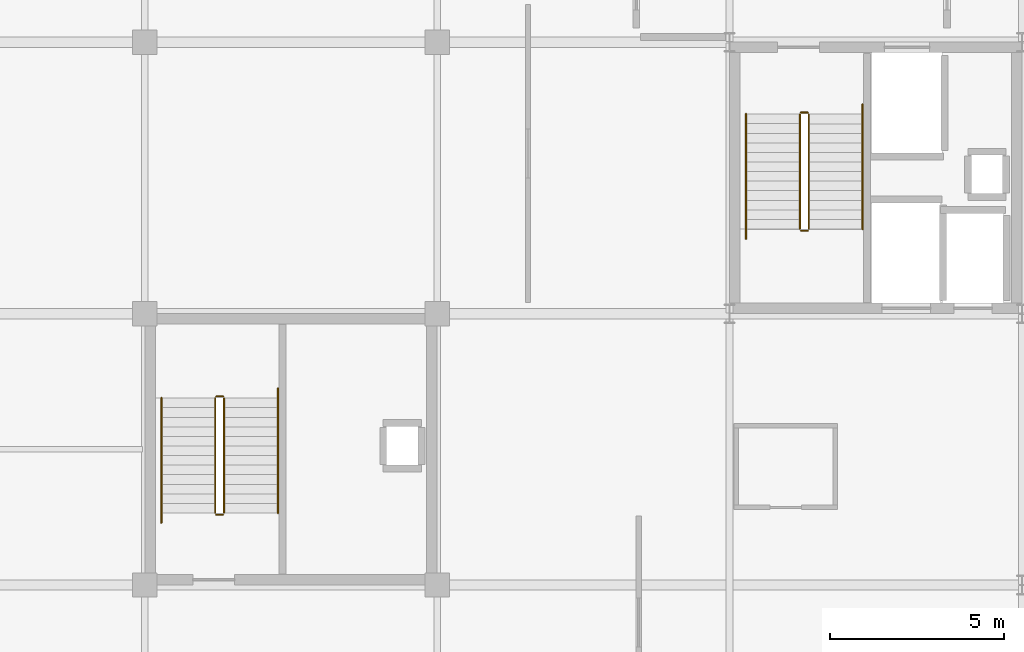
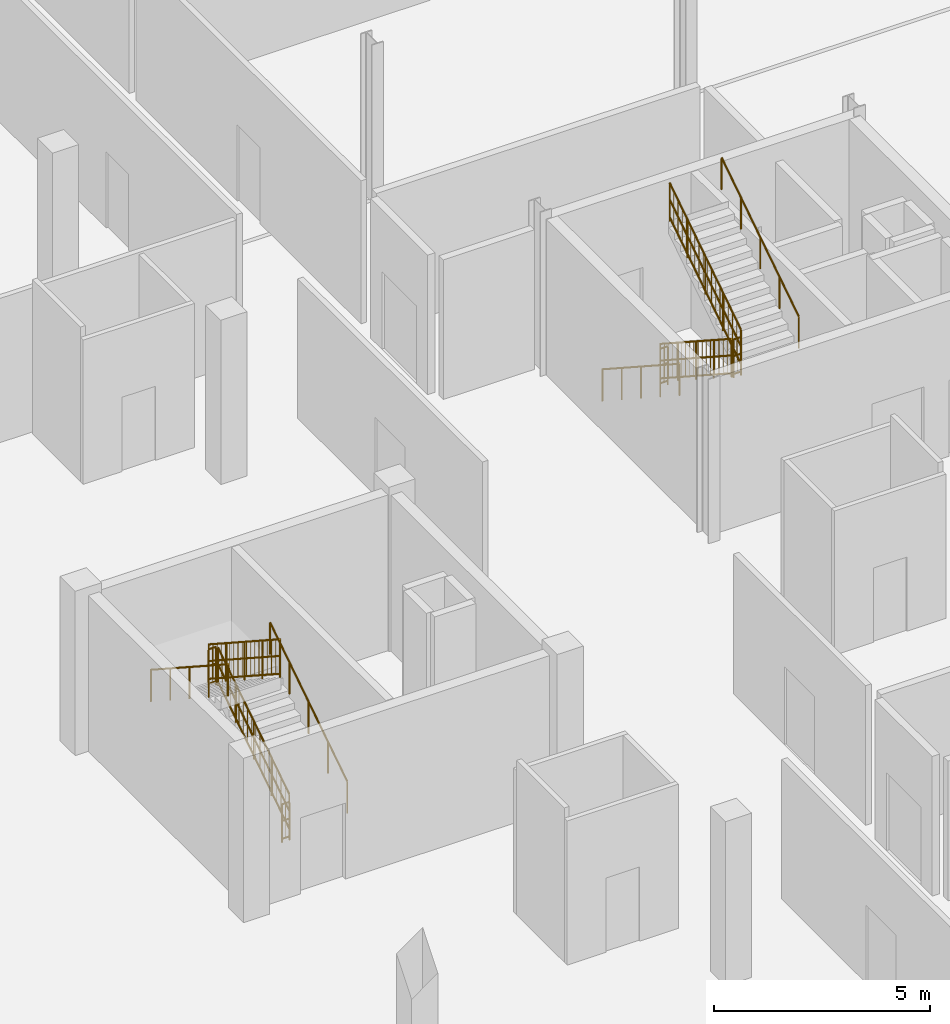
# One storey, part 97 of 98: 12 railings.
"""IFC4 building model written with IfcOpenShell, lengths in metres."""

import ifcopenshell
import ifcopenshell.guid

model = None  # the IFC model being written
_history = None  # IfcOwnerHistory: only IFC2X3 demands one
_inside = {}  # id of a spatial element -> (the spatial element, [elements in it])
_under = {}  # id of a project, library or spatial element -> (it, [spatial elements below it])
_declared = {}  # id of a project -> (the project, [libraries it declares])
_typed = {}  # id of a type object -> (the type object, [elements of that type])
_made_of = {}  # id of a material, layer set ... -> (it, [elements and type objects made of it])


def new_model(schema):
    """Start an empty IFC model of exactly this schema.

    Asked for "IFC4X3", IfcOpenShell would pick the latest addendum, in which some entities
    have other attributes; the version numbers below select the first issue.
    IFC2X3 requires an IfcOwnerHistory on every rooted entity: one is made here for all.
    """
    global model, _history
    if schema == "IFC4X3":
        model = ifcopenshell.file(schema_version=(4, 3, 0, 0))
    else:
        model = ifcopenshell.file(schema=schema)
    _inside.clear()
    _under.clear()
    _declared.clear()
    _typed.clear()
    _made_of.clear()
    _history = None
    if model.schema == "IFC2X3":
        org = make("IfcOrganization", Name="unknown")
        user = make(
            "IfcPersonAndOrganization",
            ThePerson=make("IfcPerson", FamilyName="unknown"),
            TheOrganization=org,
        )
        app = make(
            "IfcApplication",
            ApplicationDeveloper=org,
            Version="unknown",
            ApplicationFullName="unknown",
            ApplicationIdentifier="unknown",
        )
        _history = make(
            "IfcOwnerHistory",
            OwningUser=user,
            OwningApplication=app,
            ChangeAction="ADDED",
            CreationDate=0,
        )
    return model


def make(cls, **values):
    """One entity of the class cls with the attributes given. An attribute that is None is left unset."""
    return model.create_entity(
        cls, **{name: value for name, value in values.items() if value is not None}
    )


def rooted(cls, **values):
    """An entity with a GlobalId (a new one), such as an element, a storey or a relation."""
    return make(cls, GlobalId=ifcopenshell.guid.new(), OwnerHistory=_history, **values)


def si_unit(unit_type, name, prefix=None):
    """IfcSIUnit, for example si_unit("LENGTHUNIT", "METRE", prefix="MILLI")."""
    return make("IfcSIUnit", UnitType=unit_type, Prefix=prefix, Name=name)


def assignment(units):
    """IfcUnitAssignment: the units of a project."""
    return None if units is None else make("IfcUnitAssignment", Units=units)


def point(xyz):
    """IfcCartesianPoint."""
    return None if xyz is None else make("IfcCartesianPoint", Coordinates=xyz)


def direction(xyz):
    """IfcDirection."""
    return None if xyz is None else make("IfcDirection", DirectionRatios=xyz)


def frame(location, z_axis=None, x_axis=None):
    """IfcAxis2Placement3D, a coordinate frame: its origin and axes. An axis left out is left unset."""
    return make(
        "IfcAxis2Placement3D",
        Location=point(location),
        Axis=direction(z_axis),
        RefDirection=direction(x_axis),
    )


def frame_2d(location, x_axis=None):
    """IfcAxis2Placement2D, a coordinate frame in the plane: its origin and x axis."""
    return make(
        "IfcAxis2Placement2D", Location=point(location), RefDirection=direction(x_axis)
    )


def origin():
    """The frame at (0, 0, 0) with its axes left unset."""
    return frame((0.0, 0.0, 0.0))


def origin_2d():
    """The frame at (0, 0) in the plane with its x axis left unset."""
    return frame_2d((0.0, 0.0))


def place(relative_to, where):
    """IfcLocalPlacement: puts the frame where relative to a parent placement (None: the world)."""
    return make(
        "IfcLocalPlacement", PlacementRelTo=relative_to, RelativePlacement=where
    )


def context(
    kind, dimensions, precision=None, world=None, true_north=None, identifier=None
):
    """IfcGeometricRepresentationContext, for example the 3D "Model" context."""
    return make(
        "IfcGeometricRepresentationContext",
        ContextIdentifier=identifier,
        ContextType=kind,
        CoordinateSpaceDimension=dimensions,
        Precision=precision,
        WorldCoordinateSystem=world,
        TrueNorth=true_north,
    )


def subcontext(parent, identifier, kind, view, scale=None):
    """IfcGeometricRepresentationSubContext, for example "Body" below "Model"."""
    return make(
        "IfcGeometricRepresentationSubContext",
        ContextIdentifier=identifier,
        ContextType=kind,
        ParentContext=parent,
        TargetScale=scale,
        TargetView=view,
    )


def project(units=None, contexts=None):
    """IfcProject with its units and contexts."""
    return rooted(
        "IfcProject",
        Name="project",
        RepresentationContexts=contexts,
        UnitsInContext=assignment(units),
    )


def spatial(cls, under=None, at=None, **own):
    """A site, building, storey or space (cls), placed at a placement, below another one or the project."""
    s = rooted(cls, ObjectPlacement=at, **own)
    if under is not None:
        _under.setdefault(under.id(), (under, []))[1].append(s)
    return s


def profile(cls, at=None, kind="AREA", **sizes):
    """A parametric profile (cls). Its sizes go by their IFC names, for example OverallWidth=200.0."""
    return make(cls, ProfileType=kind, Position=at, **sizes)


def circle(**sizes):
    """IfcCircleProfileDef."""
    return profile("IfcCircleProfileDef", **sizes)


def extrude(swept, where, along, depth):
    """IfcExtrudedAreaSolid: the profile swept, set in the frame where, extruded along a direction by depth."""
    return make(
        "IfcExtrudedAreaSolid",
        SweptArea=swept,
        Position=where,
        ExtrudedDirection=direction(along),
        Depth=depth,
    )


def shape(context_of_items, identifier, shape_type, items):
    """IfcShapeRepresentation: the items that make up one representation, for example the "Body"."""
    return make(
        "IfcShapeRepresentation",
        ContextOfItems=context_of_items,
        RepresentationIdentifier=identifier,
        RepresentationType=shape_type,
        Items=items,
    )


def material(Name=None, Category=None):
    """IfcMaterial."""
    return make("IfcMaterial", Name=Name, Category=Category)


def layer(
    of_material, thickness, ventilated=None, Name=None, Category=None, Priority=None
):
    """IfcMaterialLayer: one layer of a wall or slab, of a material (None: an air gap)."""
    return make(
        "IfcMaterialLayer",
        Material=of_material,
        LayerThickness=thickness,
        IsVentilated=ventilated,
        Name=Name,
        Category=Category,
        Priority=Priority,
    )


def layer_set(layers, Name=None):
    """IfcMaterialLayerSet."""
    return make("IfcMaterialLayerSet", MaterialLayers=layers, LayerSetName=Name)


def made_of(thing, what):
    """Note that an element or type object is made of a material, layer set ...; save() writes the relation."""
    if what is not None:
        _made_of.setdefault(what.id(), (what, []))[1].append(thing)
    return thing


def type_object(cls, material=None, **own):
    """A type object (cls), such as IfcWallType, which elements share."""
    return made_of(rooted(cls, **own), material)


def element(
    cls,
    number,
    at=None,
    inside=None,
    cuts=None,
    type_object=None,
    material=None,
    context=None,
    identifier="Body",
    shape_type=None,
    held_by="IfcProductDefinitionShape",
    body=None,
    shapes=None,
    **own,
):
    """One element of the class cls, such as IfcWall. Its Tag is "e" and its number.

    at: its placement. inside: the storey or other place that contains it. cuts: it is an
    opening in that element (IfcRelVoidsElement). A single representation is given by context,
    identifier, shape_type and body (its items); several are given by shapes. held_by: the class
    of the entity that holds the representations. save() writes the other relations.
    """
    e = rooted(cls, Tag="e%d" % number, ObjectPlacement=at, **own)
    if body is not None:
        shapes = [shape(context, identifier, shape_type, body)]
    if shapes is not None:
        e.Representation = make(held_by, Representations=shapes)
    if inside is not None:
        _inside.setdefault(inside.id(), (inside, []))[1].append(e)
    if cuts is not None:
        rooted(
            "IfcRelVoidsElement", RelatingBuildingElement=cuts, RelatedOpeningElement=e
        )
    if type_object is not None:
        _typed.setdefault(type_object.id(), (type_object, []))[1].append(e)
    return made_of(e, material)


def aggregate(whole, parts):
    """IfcRelAggregates: a whole, such as a stair, and the parts it consists of."""
    return rooted("IfcRelAggregates", RelatingObject=whole, RelatedObjects=parts)


def save(model, path):
    """Write the relations noted so far, then the file.

    IfcRelAggregates (storeys below a building ...), IfcRelContainedInSpatialStructure (elements
    in a storey), IfcRelDefinesByType, IfcRelAssociatesMaterial and IfcRelDeclares: one each for
    every whole, place, type object, material and project.
    """
    for whole, parts in _under.values():
        aggregate(whole, parts)
    for where, things in _inside.values():
        rooted(
            "IfcRelContainedInSpatialStructure",
            RelatedElements=things,
            RelatingStructure=where,
        )
    for kind, things in _typed.values():
        rooted("IfcRelDefinesByType", RelatedObjects=things, RelatingType=kind)
    for what, things in _made_of.values():
        rooted("IfcRelAssociatesMaterial", RelatedObjects=things, RelatingMaterial=what)
    for by, libraries in _declared.values():
        rooted("IfcRelDeclares", RelatingContext=by, RelatedDefinitions=libraries)
    model.write(path)


model = new_model("IFC4")

# Units and contexts
model_context = context("Model", 3, precision=1e-05, world=origin(), true_north=direction((0.0, 1.0)))
body_context = subcontext(model_context, "Body", "Model", "MODEL_VIEW")
ifc_project = project(units=[si_unit("LENGTHUNIT", "METRE"), si_unit("AREAUNIT", "SQUARE_METRE"), si_unit("VOLUMEUNIT", "CUBIC_METRE"), si_unit("PLANEANGLEUNIT", "RADIAN"), si_unit("MASSUNIT", "GRAM", prefix="KILO")], contexts=[model_context])

# Site, building, storey
site_placement = place(None, origin())
site = spatial("IfcSite", under=ifc_project, at=site_placement, CompositionType="ELEMENT")
building_placement = place(site_placement, origin())
building = spatial("IfcBuilding", under=site, at=building_placement, Name="Nabrawat Pavilion Hospital", CompositionType="ELEMENT")
storey_placement = place(building_placement, frame((0.0, 0.0, 10.199951171875)))
storey = spatial("IfcBuildingStorey", under=building, at=storey_placement, Name="L02", CompositionType="ELEMENT", Elevation=10.199951171875)

# Railings
ifc_material = material(Name="Stainless Steel 316", Category="steel")
ifc_layer_1 = layer(ifc_material, 0.050048828125, Name="Stainless Steel 316")
ifc_layer_set_1 = layer_set([ifc_layer_1], Name="Stainless Steel 316")
railing_type_1 = type_object("IfcRailingType", Name="Stair Open-Well Safety Guardrail 1100", PredefinedType="GUARDRAIL", material=ifc_layer_set_1)
railing_1_placement = place(storey_placement, frame((170.02490234375, 75.929931640625, 0.178955078125)))
element("IfcRailing", 1, at=railing_1_placement, inside=storey, type_object=railing_type_1, Name="L02 ST-06 stair guard 1", PredefinedType="GUARDRAIL", context=body_context, shape_type="SweptSolid", body=[
    extrude(circle(Radius=0.02392578125, at=origin_2d()), frame((0.0, 0.0, 1.076171875), z_axis=(0.0, -0.838331656441, 0.545160557825), x_axis=(1.0, 0.0, 0.0)), (0.0, 0.0, 1.0), 3.9365234375),
    extrude(circle(Radius=0.02392578125, at=origin_2d()), frame((0.0, 0.0, 0.10009765625), z_axis=(0.0, -0.838331656441, 0.545160557825), x_axis=(1.0, 0.0, 0.0)), (0.0, 0.0, 1.0), 3.9365234375),
    extrude(circle(Radius=0.02392578125, at=origin_2d()), frame((0.0, 0.0, 0.60498046875), z_axis=(0.0, -0.838331656441, 0.545160557825), x_axis=(1.0, 0.0, 0.0)), (0.0, 0.0, 1.0), 3.9365234375),
    extrude(circle(Radius=0.008056640625, at=origin_2d()), frame((0.0, -0.194091796875, 0.226318359375)), (0.0, 0.0, 1.0), 0.951904296875),
    extrude(circle(Radius=0.008056640625, at=origin_2d()), frame((0.0, -0.38818359375, 0.3525390625)), (0.0, 0.0, 1.0), 0.951904296875),
    extrude(circle(Radius=0.008056640625, at=origin_2d()), frame((0.0, -0.582275390625, 0.478759765625)), (0.0, 0.0, 1.0), 0.951904296875),
    extrude(circle(Radius=0.008056640625, at=origin_2d()), frame((0.0, -0.7763671875, 0.60498046875)), (0.0, 0.0, 1.0), 0.951904296875),
    extrude(circle(Radius=0.008056640625, at=origin_2d()), frame((0.0, -0.970703125, 0.731201171875)), (0.0, 0.0, 1.0), 0.951904296875),
    extrude(circle(Radius=0.008056640625, at=origin_2d()), frame((0.0, -1.164794921875, 0.857421875)), (0.0, 0.0, 1.0), 0.951904296875),
    extrude(circle(Radius=0.008056640625, at=origin_2d()), frame((0.0, -1.35888671875, 0.983642578125)), (0.0, 0.0, 1.0), 0.951904296875),
    extrude(circle(Radius=0.008056640625, at=origin_2d()), frame((0.0, -1.552978515625, 1.10986328125)), (0.0, 0.0, 1.0), 0.951904296875),
    extrude(circle(Radius=0.008056640625, at=origin_2d()), frame((0.0, -1.7470703125, 1.236083984375)), (0.0, 0.0, 1.0), 0.951904296875),
    extrude(circle(Radius=0.008056640625, at=origin_2d()), frame((0.0, -1.941162109375, 1.3623046875)), (0.0, 0.0, 1.0), 0.951904296875),
    extrude(circle(Radius=0.008056640625, at=origin_2d()), frame((0.0, -2.13525390625, 1.488525390625)), (0.0, 0.0, 1.0), 0.951904296875),
    extrude(circle(Radius=0.008056640625, at=origin_2d()), frame((0.0, -2.329345703125, 1.61474609375)), (0.0, 0.0, 1.0), 0.951904296875),
    extrude(circle(Radius=0.008056640625, at=origin_2d()), frame((0.0, -2.523681640625, 1.740966796875)), (0.0, 0.0, 1.0), 0.951904296875),
    extrude(circle(Radius=0.008056640625, at=origin_2d()), frame((0.0, -2.7177734375, 1.8671875)), (0.0, 0.0, 1.0), 0.951904296875),
    extrude(circle(Radius=0.008056640625, at=origin_2d()), frame((0.0, -2.911865234375, 1.993408203125)), (0.0, 0.0, 1.0), 0.951904296875),
    extrude(circle(Radius=0.008056640625, at=origin_2d()), frame((0.0, -3.10595703125, 2.119873046875)), (0.0, 0.0, 1.0), 0.951904296875),
    extrude(circle(Radius=0.02099609375, at=origin_2d()), origin(), (0.0, 0.0, 1.0), 1.052001953125),
    extrude(circle(Radius=0.02099609375, at=origin_2d()), frame((0.0, -0.824951171875, 0.53662109375)), (0.0, 0.0, 1.0), 1.052001953125),
    extrude(circle(Radius=0.02099609375, at=origin_2d()), frame((0.0, -1.64990234375, 1.072998046875)), (0.0, 0.0, 1.0), 1.052001953125),
    extrude(circle(Radius=0.02099609375, at=origin_2d()), frame((0.0, -2.47509765625, 1.609375)), (0.0, 0.0, 1.0), 1.052001953125),
    extrude(circle(Radius=0.02099609375, at=origin_2d()), frame((0.0, -3.300048828125, 2.14599609375)), (0.0, 0.0, 1.0), 1.052001953125),
])
railing_2_placement = place(storey_placement, frame((170.050048828125, 72.580078125, 2.324951171875)))
element("IfcRailing", 2, at=railing_2_placement, inside=storey, type_object=railing_type_1, Name="L02 ST-06 stair guard 2", PredefinedType="GUARDRAIL", context=body_context, shape_type="SweptSolid", body=[
    extrude(circle(Radius=0.02392578125, at=origin_2d()), frame((0.0, 0.0, 1.076171875), z_axis=(1.0, 0.0, 0.0), x_axis=(0.0, 1.0, 0.0)), (0.0, 0.0, 1.0), 0.199951171875),
    extrude(circle(Radius=0.02392578125, at=origin_2d()), frame((0.0, 0.0, 0.10009765625), z_axis=(1.0, 0.0, 0.0), x_axis=(0.0, 1.0, 0.0)), (0.0, 0.0, 1.0), 0.199951171875),
    extrude(circle(Radius=0.02392578125, at=origin_2d()), frame((0.0, 0.0, 0.60498046875), z_axis=(1.0, 0.0, 0.0), x_axis=(0.0, 1.0, 0.0)), (0.0, 0.0, 1.0), 0.199951171875),
    extrude(circle(Radius=0.008056640625, at=origin_2d()), frame((0.10009765625, 0.0, 0.10009765625)), (0.0, 0.0, 1.0), 0.951904296875),
    extrude(circle(Radius=0.02099609375, at=origin_2d()), origin(), (0.0, 0.0, 1.0), 1.052001953125),
    extrude(circle(Radius=0.02099609375, at=origin_2d()), frame((0.199951171875, 0.0, 0.0)), (0.0, 0.0, 1.0), 1.052001953125),
])
railing_3_placement = place(storey_placement, frame((170.27490234375, 72.6298828125, 2.50390625)))
element("IfcRailing", 3, at=railing_3_placement, inside=storey, type_object=railing_type_1, Name="L02 ST-06 stair guard 3", PredefinedType="GUARDRAIL", context=body_context, shape_type="SweptSolid", body=[
    extrude(circle(Radius=0.02392578125, at=origin_2d()), frame((0.0, 0.0, 1.076171875), z_axis=(0.0, 0.838303311307, 0.545204143649), x_axis=(-1.0, 0.0, 0.0)), (0.0, 0.0, 1.0), 3.9365234375),
    extrude(circle(Radius=0.02392578125, at=origin_2d()), frame((0.0, 0.0, 0.10009765625), z_axis=(0.0, 0.838303311307, 0.545204143649), x_axis=(-1.0, 0.0, 0.0)), (0.0, 0.0, 1.0), 3.9365234375),
    extrude(circle(Radius=0.02392578125, at=origin_2d()), frame((0.0, 0.0, 0.60498046875), z_axis=(0.0, 0.838303311307, 0.545204143649), x_axis=(-1.0, 0.0, 0.0)), (0.0, 0.0, 1.0), 3.9365234375),
    extrude(circle(Radius=0.008056640625, at=origin_2d()), frame((0.0, 0.194091796875, 0.226318359375)), (0.0, 0.0, 1.0), 0.951904296875),
    extrude(circle(Radius=0.008056640625, at=origin_2d()), frame((0.0, 0.38818359375, 0.3525390625)), (0.0, 0.0, 1.0), 0.951904296875),
    extrude(circle(Radius=0.008056640625, at=origin_2d()), frame((0.0, 0.582275390625, 0.478759765625)), (0.0, 0.0, 1.0), 0.951904296875),
    extrude(circle(Radius=0.008056640625, at=origin_2d()), frame((0.0, 0.7763671875, 0.60498046875)), (0.0, 0.0, 1.0), 0.951904296875),
    extrude(circle(Radius=0.008056640625, at=origin_2d()), frame((0.0, 0.970703125, 0.731201171875)), (0.0, 0.0, 1.0), 0.951904296875),
    extrude(circle(Radius=0.008056640625, at=origin_2d()), frame((0.0, 1.164794921875, 0.857421875)), (0.0, 0.0, 1.0), 0.951904296875),
    extrude(circle(Radius=0.008056640625, at=origin_2d()), frame((0.0, 1.35888671875, 0.983642578125)), (0.0, 0.0, 1.0), 0.951904296875),
    extrude(circle(Radius=0.008056640625, at=origin_2d()), frame((0.0, 1.552978515625, 1.110107421875)), (0.0, 0.0, 1.0), 0.951904296875),
    extrude(circle(Radius=0.008056640625, at=origin_2d()), frame((0.0, 1.7470703125, 1.236328125)), (0.0, 0.0, 1.0), 0.951904296875),
    extrude(circle(Radius=0.008056640625, at=origin_2d()), frame((0.0, 1.941162109375, 1.362548828125)), (0.0, 0.0, 1.0), 0.951904296875),
    extrude(circle(Radius=0.008056640625, at=origin_2d()), frame((0.0, 2.13525390625, 1.48876953125)), (0.0, 0.0, 1.0), 0.951904296875),
    extrude(circle(Radius=0.008056640625, at=origin_2d()), frame((0.0, 2.329345703125, 1.614990234375)), (0.0, 0.0, 1.0), 0.951904296875),
    extrude(circle(Radius=0.008056640625, at=origin_2d()), frame((0.0, 2.523681640625, 1.7412109375)), (0.0, 0.0, 1.0), 0.951904296875),
    extrude(circle(Radius=0.008056640625, at=origin_2d()), frame((0.0, 2.7177734375, 1.867431640625)), (0.0, 0.0, 1.0), 0.951904296875),
    extrude(circle(Radius=0.008056640625, at=origin_2d()), frame((0.0, 2.911865234375, 1.99365234375)), (0.0, 0.0, 1.0), 0.951904296875),
    extrude(circle(Radius=0.008056640625, at=origin_2d()), frame((0.0, 3.10595703125, 2.119873046875)), (0.0, 0.0, 1.0), 0.951904296875),
    extrude(circle(Radius=0.02099609375, at=origin_2d()), origin(), (0.0, 0.0, 1.0), 1.052001953125),
    extrude(circle(Radius=0.02099609375, at=origin_2d()), frame((0.0, 0.824951171875, 0.53662109375)), (0.0, 0.0, 1.0), 1.052001953125),
    extrude(circle(Radius=0.02099609375, at=origin_2d()), frame((0.0, 1.64990234375, 1.0732421875)), (0.0, 0.0, 1.0), 1.052001953125),
    extrude(circle(Radius=0.02099609375, at=origin_2d()), frame((0.0, 2.47509765625, 1.609619140625)), (0.0, 0.0, 1.0), 1.052001953125),
    extrude(circle(Radius=0.02099609375, at=origin_2d()), frame((0.0, 3.300048828125, 2.146240234375)), (0.0, 0.0, 1.0), 1.052001953125),
])
railing_4_placement = place(storey_placement, frame((170.050048828125, 75.97998046875, 0.0)))
element("IfcRailing", 4, at=railing_4_placement, inside=storey, type_object=railing_type_1, Name="L02 ST-06 stair guard 4", PredefinedType="GUARDRAIL", context=body_context, shape_type="SweptSolid", body=[
    extrude(circle(Radius=0.02392578125, at=origin_2d()), frame((0.0, 0.0, 1.076171875), z_axis=(1.0, 0.0, 0.0), x_axis=(0.0, 1.0, 0.0)), (0.0, 0.0, 1.0), 0.199951171875),
    extrude(circle(Radius=0.02392578125, at=origin_2d()), frame((0.0, 0.0, 0.10009765625), z_axis=(1.0, 0.0, 0.0), x_axis=(0.0, 1.0, 0.0)), (0.0, 0.0, 1.0), 0.199951171875),
    extrude(circle(Radius=0.02392578125, at=origin_2d()), frame((0.0, 0.0, 0.60498046875), z_axis=(1.0, 0.0, 0.0), x_axis=(0.0, 1.0, 0.0)), (0.0, 0.0, 1.0), 0.199951171875),
    extrude(circle(Radius=0.008056640625, at=origin_2d()), frame((0.10009765625, 0.0, 0.10009765625)), (0.0, 0.0, 1.0), 0.951904296875),
    extrude(circle(Radius=0.02099609375, at=origin_2d()), origin(), (0.0, 0.0, 1.0), 1.052001953125),
    extrude(circle(Radius=0.02099609375, at=origin_2d()), frame((0.199951171875, 0.0, 0.0)), (0.0, 0.0, 1.0), 1.052001953125),
])
railing_5_placement = place(storey_placement, frame((153.47509765625, 64.469970703125, 0.178955078125)))
element("IfcRailing", 5, at=railing_5_placement, inside=storey, type_object=railing_type_1, Name="L02 ST-09 stair guard 1", PredefinedType="GUARDRAIL", context=body_context, shape_type="SweptSolid", body=[
    extrude(circle(Radius=0.02392578125, at=origin_2d()), frame((0.0, 0.0, 1.076171875), z_axis=(0.0, 0.838331656441, 0.545160557825), x_axis=(-1.0, 0.0, 0.0)), (0.0, 0.0, 1.0), 3.9365234375),
    extrude(circle(Radius=0.02392578125, at=origin_2d()), frame((0.0, 0.0, 0.10009765625), z_axis=(0.0, 0.838331656441, 0.545160557825), x_axis=(-1.0, 0.0, 0.0)), (0.0, 0.0, 1.0), 3.9365234375),
    extrude(circle(Radius=0.02392578125, at=origin_2d()), frame((0.0, 0.0, 0.60498046875), z_axis=(0.0, 0.838331656441, 0.545160557825), x_axis=(-1.0, 0.0, 0.0)), (0.0, 0.0, 1.0), 3.9365234375),
    extrude(circle(Radius=0.008056640625, at=origin_2d()), frame((0.0, 0.194091796875, 0.226318359375)), (0.0, 0.0, 1.0), 0.951904296875),
    extrude(circle(Radius=0.008056640625, at=origin_2d()), frame((0.0, 0.38818359375, 0.3525390625)), (0.0, 0.0, 1.0), 0.951904296875),
    extrude(circle(Radius=0.008056640625, at=origin_2d()), frame((0.0, 0.582275390625, 0.478759765625)), (0.0, 0.0, 1.0), 0.951904296875),
    extrude(circle(Radius=0.008056640625, at=origin_2d()), frame((0.0, 0.7763671875, 0.60498046875)), (0.0, 0.0, 1.0), 0.951904296875),
    extrude(circle(Radius=0.008056640625, at=origin_2d()), frame((0.0, 0.970703125, 0.731201171875)), (0.0, 0.0, 1.0), 0.951904296875),
    extrude(circle(Radius=0.008056640625, at=origin_2d()), frame((0.0, 1.164794921875, 0.857421875)), (0.0, 0.0, 1.0), 0.951904296875),
    extrude(circle(Radius=0.008056640625, at=origin_2d()), frame((0.0, 1.35888671875, 0.983642578125)), (0.0, 0.0, 1.0), 0.951904296875),
    extrude(circle(Radius=0.008056640625, at=origin_2d()), frame((0.0, 1.552978515625, 1.10986328125)), (0.0, 0.0, 1.0), 0.951904296875),
    extrude(circle(Radius=0.008056640625, at=origin_2d()), frame((0.0, 1.7470703125, 1.236083984375)), (0.0, 0.0, 1.0), 0.951904296875),
    extrude(circle(Radius=0.008056640625, at=origin_2d()), frame((0.0, 1.941162109375, 1.3623046875)), (0.0, 0.0, 1.0), 0.951904296875),
    extrude(circle(Radius=0.008056640625, at=origin_2d()), frame((0.0, 2.13525390625, 1.488525390625)), (0.0, 0.0, 1.0), 0.951904296875),
    extrude(circle(Radius=0.008056640625, at=origin_2d()), frame((0.0, 2.329345703125, 1.61474609375)), (0.0, 0.0, 1.0), 0.951904296875),
    extrude(circle(Radius=0.008056640625, at=origin_2d()), frame((0.0, 2.523681640625, 1.740966796875)), (0.0, 0.0, 1.0), 0.951904296875),
    extrude(circle(Radius=0.008056640625, at=origin_2d()), frame((0.0, 2.7177734375, 1.8671875)), (0.0, 0.0, 1.0), 0.951904296875),
    extrude(circle(Radius=0.008056640625, at=origin_2d()), frame((0.0, 2.911865234375, 1.993408203125)), (0.0, 0.0, 1.0), 0.951904296875),
    extrude(circle(Radius=0.008056640625, at=origin_2d()), frame((0.0, 3.10595703125, 2.119873046875)), (0.0, 0.0, 1.0), 0.951904296875),
    extrude(circle(Radius=0.02099609375, at=origin_2d()), origin(), (0.0, 0.0, 1.0), 1.052001953125),
    extrude(circle(Radius=0.02099609375, at=origin_2d()), frame((0.0, 0.824951171875, 0.53662109375)), (0.0, 0.0, 1.0), 1.052001953125),
    extrude(circle(Radius=0.02099609375, at=origin_2d()), frame((0.0, 1.64990234375, 1.072998046875)), (0.0, 0.0, 1.0), 1.052001953125),
    extrude(circle(Radius=0.02099609375, at=origin_2d()), frame((0.0, 2.47509765625, 1.609375)), (0.0, 0.0, 1.0), 1.052001953125),
    extrude(circle(Radius=0.02099609375, at=origin_2d()), frame((0.0, 3.300048828125, 2.14599609375)), (0.0, 0.0, 1.0), 1.052001953125),
])
railing_6_placement = place(storey_placement, frame((153.449951171875, 67.820068359375, 2.324951171875)))
element("IfcRailing", 6, at=railing_6_placement, inside=storey, type_object=railing_type_1, Name="L02 ST-09 stair guard 2", PredefinedType="GUARDRAIL", context=body_context, shape_type="SweptSolid", body=[
    extrude(circle(Radius=0.02392578125, at=origin_2d()), frame((0.0, 0.0, 1.076171875), z_axis=(-1.0, 0.0, 0.0), x_axis=(0.0, -1.0, 0.0)), (0.0, 0.0, 1.0), 0.199951171875),
    extrude(circle(Radius=0.02392578125, at=origin_2d()), frame((0.0, 0.0, 0.10009765625), z_axis=(-1.0, 0.0, 0.0), x_axis=(0.0, -1.0, 0.0)), (0.0, 0.0, 1.0), 0.199951171875),
    extrude(circle(Radius=0.02392578125, at=origin_2d()), frame((0.0, 0.0, 0.60498046875), z_axis=(-1.0, 0.0, 0.0), x_axis=(0.0, -1.0, 0.0)), (0.0, 0.0, 1.0), 0.199951171875),
    extrude(circle(Radius=0.008056640625, at=origin_2d()), frame((-0.10009765625, 0.0, 0.10009765625)), (0.0, 0.0, 1.0), 0.951904296875),
    extrude(circle(Radius=0.02099609375, at=origin_2d()), origin(), (0.0, 0.0, 1.0), 1.052001953125),
    extrude(circle(Radius=0.02099609375, at=origin_2d()), frame((-0.199951171875, 0.0, 0.0)), (0.0, 0.0, 1.0), 1.052001953125),
])
railing_7_placement = place(storey_placement, frame((153.22509765625, 67.77001953125, 2.50390625)))
element("IfcRailing", 7, at=railing_7_placement, inside=storey, type_object=railing_type_1, Name="L02 ST-09 stair guard 3", PredefinedType="GUARDRAIL", context=body_context, shape_type="SweptSolid", body=[
    extrude(circle(Radius=0.02392578125, at=origin_2d()), frame((0.0, 0.0, 1.076171875), z_axis=(0.0, -0.838303311307, 0.545204143649), x_axis=(1.0, 0.0, 0.0)), (0.0, 0.0, 1.0), 3.9365234375),
    extrude(circle(Radius=0.02392578125, at=origin_2d()), frame((0.0, 0.0, 0.10009765625), z_axis=(0.0, -0.838303311307, 0.545204143649), x_axis=(1.0, 0.0, 0.0)), (0.0, 0.0, 1.0), 3.9365234375),
    extrude(circle(Radius=0.02392578125, at=origin_2d()), frame((0.0, 0.0, 0.60498046875), z_axis=(0.0, -0.838303311307, 0.545204143649), x_axis=(1.0, 0.0, 0.0)), (0.0, 0.0, 1.0), 3.9365234375),
    extrude(circle(Radius=0.008056640625, at=origin_2d()), frame((0.0, -0.194091796875, 0.226318359375)), (0.0, 0.0, 1.0), 0.951904296875),
    extrude(circle(Radius=0.008056640625, at=origin_2d()), frame((0.0, -0.38818359375, 0.3525390625)), (0.0, 0.0, 1.0), 0.951904296875),
    extrude(circle(Radius=0.008056640625, at=origin_2d()), frame((0.0, -0.582275390625, 0.478759765625)), (0.0, 0.0, 1.0), 0.951904296875),
    extrude(circle(Radius=0.008056640625, at=origin_2d()), frame((0.0, -0.7763671875, 0.60498046875)), (0.0, 0.0, 1.0), 0.951904296875),
    extrude(circle(Radius=0.008056640625, at=origin_2d()), frame((0.0, -0.970703125, 0.731201171875)), (0.0, 0.0, 1.0), 0.951904296875),
    extrude(circle(Radius=0.008056640625, at=origin_2d()), frame((0.0, -1.164794921875, 0.857421875)), (0.0, 0.0, 1.0), 0.951904296875),
    extrude(circle(Radius=0.008056640625, at=origin_2d()), frame((0.0, -1.35888671875, 0.983642578125)), (0.0, 0.0, 1.0), 0.951904296875),
    extrude(circle(Radius=0.008056640625, at=origin_2d()), frame((0.0, -1.552978515625, 1.110107421875)), (0.0, 0.0, 1.0), 0.951904296875),
    extrude(circle(Radius=0.008056640625, at=origin_2d()), frame((0.0, -1.7470703125, 1.236328125)), (0.0, 0.0, 1.0), 0.951904296875),
    extrude(circle(Radius=0.008056640625, at=origin_2d()), frame((0.0, -1.941162109375, 1.362548828125)), (0.0, 0.0, 1.0), 0.951904296875),
    extrude(circle(Radius=0.008056640625, at=origin_2d()), frame((0.0, -2.13525390625, 1.48876953125)), (0.0, 0.0, 1.0), 0.951904296875),
    extrude(circle(Radius=0.008056640625, at=origin_2d()), frame((0.0, -2.329345703125, 1.614990234375)), (0.0, 0.0, 1.0), 0.951904296875),
    extrude(circle(Radius=0.008056640625, at=origin_2d()), frame((0.0, -2.523681640625, 1.7412109375)), (0.0, 0.0, 1.0), 0.951904296875),
    extrude(circle(Radius=0.008056640625, at=origin_2d()), frame((0.0, -2.7177734375, 1.867431640625)), (0.0, 0.0, 1.0), 0.951904296875),
    extrude(circle(Radius=0.008056640625, at=origin_2d()), frame((0.0, -2.911865234375, 1.99365234375)), (0.0, 0.0, 1.0), 0.951904296875),
    extrude(circle(Radius=0.008056640625, at=origin_2d()), frame((0.0, -3.10595703125, 2.119873046875)), (0.0, 0.0, 1.0), 0.951904296875),
    extrude(circle(Radius=0.02099609375, at=origin_2d()), origin(), (0.0, 0.0, 1.0), 1.052001953125),
    extrude(circle(Radius=0.02099609375, at=origin_2d()), frame((0.0, -0.824951171875, 0.53662109375)), (0.0, 0.0, 1.0), 1.052001953125),
    extrude(circle(Radius=0.02099609375, at=origin_2d()), frame((0.0, -1.64990234375, 1.0732421875)), (0.0, 0.0, 1.0), 1.052001953125),
    extrude(circle(Radius=0.02099609375, at=origin_2d()), frame((0.0, -2.47509765625, 1.609619140625)), (0.0, 0.0, 1.0), 1.052001953125),
    extrude(circle(Radius=0.02099609375, at=origin_2d()), frame((0.0, -3.300048828125, 2.146240234375)), (0.0, 0.0, 1.0), 1.052001953125),
])
railing_8_placement = place(storey_placement, frame((153.449951171875, 64.419921875, 0.0)))
element("IfcRailing", 8, at=railing_8_placement, inside=storey, type_object=railing_type_1, Name="L02 ST-09 stair guard 4", PredefinedType="GUARDRAIL", context=body_context, shape_type="SweptSolid", body=[
    extrude(circle(Radius=0.02392578125, at=origin_2d()), frame((0.0, 0.0, 1.076171875), z_axis=(-1.0, 0.0, 0.0), x_axis=(0.0, -1.0, 0.0)), (0.0, 0.0, 1.0), 0.199951171875),
    extrude(circle(Radius=0.02392578125, at=origin_2d()), frame((0.0, 0.0, 0.10009765625), z_axis=(-1.0, 0.0, 0.0), x_axis=(0.0, -1.0, 0.0)), (0.0, 0.0, 1.0), 0.199951171875),
    extrude(circle(Radius=0.02392578125, at=origin_2d()), frame((0.0, 0.0, 0.60498046875), z_axis=(-1.0, 0.0, 0.0), x_axis=(0.0, -1.0, 0.0)), (0.0, 0.0, 1.0), 0.199951171875),
    extrude(circle(Radius=0.008056640625, at=origin_2d()), frame((-0.10009765625, 0.0, 0.10009765625)), (0.0, 0.0, 1.0), 0.951904296875),
    extrude(circle(Radius=0.02099609375, at=origin_2d()), origin(), (0.0, 0.0, 1.0), 1.052001953125),
    extrude(circle(Radius=0.02099609375, at=origin_2d()), frame((-0.199951171875, 0.0, 0.0)), (0.0, 0.0, 1.0), 1.052001953125),
])
ifc_layer_2 = layer(ifc_material, 0.044921875, Name="Stainless Steel 316")
ifc_layer_set_2 = layer_set([ifc_layer_2], Name="Stainless Steel 316")
railing_type_2 = type_object("IfcRailingType", Name="Stair Pitch Continuous Handrail 920", PredefinedType="HANDRAIL", material=ifc_layer_set_2)
railing_9_placement = place(storey_placement, frame((168.47509765625, 75.929931640625, 0.182861328125)))
element("IfcRailing", 9, at=railing_9_placement, inside=storey, type_object=railing_type_2, Name="L02 ST-06 stair handrail 1", PredefinedType="HANDRAIL", context=body_context, shape_type="SweptSolid", body=[
    extrude(circle(Radius=0.02392578125, at=origin_2d()), frame((0.0, 0.0, 0.89599609375), z_axis=(0.0, -0.838311484064, 0.54519157705), x_axis=(1.0, 0.0, 0.0)), (0.0, 0.0, 1.0), 4.264404296875),
    extrude(circle(Radius=0.02099609375, at=origin_2d()), origin(), (0.0, 0.0, 1.0), 0.871826171875),
    extrude(circle(Radius=0.02099609375, at=origin_2d()), frame((0.0, -0.893798828125, 0.581298828125)), (0.0, 0.0, 1.0), 0.871826171875),
    extrude(circle(Radius=0.02099609375, at=origin_2d()), frame((0.0, -1.78759765625, 1.16259765625)), (0.0, 0.0, 1.0), 0.871826171875),
    extrude(circle(Radius=0.02099609375, at=origin_2d()), frame((0.0, -2.68115234375, 1.74365234375)), (0.0, 0.0, 1.0), 0.871826171875),
    extrude(circle(Radius=0.02099609375, at=origin_2d()), frame((0.0, -3.574951171875, 2.324951171875)), (0.0, 0.0, 1.0), 0.871826171875),
])
railing_10_placement = place(storey_placement, frame((171.824951171875, 72.6298828125, 2.5078125)))
element("IfcRailing", 10, at=railing_10_placement, inside=storey, type_object=railing_type_2, Name="L02 ST-06 stair handrail 2", PredefinedType="HANDRAIL", context=body_context, shape_type="SweptSolid", body=[
    extrude(circle(Radius=0.02392578125, at=origin_2d()), frame((0.0, 0.0, 0.89599609375), z_axis=(0.0, 0.838328499472, 0.545165412488), x_axis=(-1.0, 0.0, 0.0)), (0.0, 0.0, 1.0), 4.2646484375),
    extrude(circle(Radius=0.02099609375, at=origin_2d()), origin(), (0.0, 0.0, 1.0), 0.871826171875),
    extrude(circle(Radius=0.02099609375, at=origin_2d()), frame((0.0, 0.893798828125, 0.581298828125)), (0.0, 0.0, 1.0), 0.871826171875),
    extrude(circle(Radius=0.02099609375, at=origin_2d()), frame((0.0, 1.78759765625, 1.16259765625)), (0.0, 0.0, 1.0), 0.871826171875),
    extrude(circle(Radius=0.02099609375, at=origin_2d()), frame((0.0, 2.681396484375, 1.74365234375)), (0.0, 0.0, 1.0), 0.871826171875),
    extrude(circle(Radius=0.02099609375, at=origin_2d()), frame((0.0, 3.5751953125, 2.324951171875)), (0.0, 0.0, 1.0), 0.871826171875),
])
railing_11_placement = place(storey_placement, frame((155.02490234375, 64.469970703125, 0.182861328125)))
element("IfcRailing", 11, at=railing_11_placement, inside=storey, type_object=railing_type_2, Name="L02 ST-09 stair handrail 1", PredefinedType="HANDRAIL", context=body_context, shape_type="SweptSolid", body=[
    extrude(circle(Radius=0.02392578125, at=origin_2d()), frame((0.0, 0.0, 0.89599609375), z_axis=(0.0, 0.838311484064, 0.54519157705), x_axis=(-1.0, 0.0, 0.0)), (0.0, 0.0, 1.0), 4.264404296875),
    extrude(circle(Radius=0.02099609375, at=origin_2d()), origin(), (0.0, 0.0, 1.0), 0.871826171875),
    extrude(circle(Radius=0.02099609375, at=origin_2d()), frame((0.0, 0.893798828125, 0.581298828125)), (0.0, 0.0, 1.0), 0.871826171875),
    extrude(circle(Radius=0.02099609375, at=origin_2d()), frame((0.0, 1.78759765625, 1.16259765625)), (0.0, 0.0, 1.0), 0.871826171875),
    extrude(circle(Radius=0.02099609375, at=origin_2d()), frame((0.0, 2.68115234375, 1.74365234375)), (0.0, 0.0, 1.0), 0.871826171875),
    extrude(circle(Radius=0.02099609375, at=origin_2d()), frame((0.0, 3.574951171875, 2.324951171875)), (0.0, 0.0, 1.0), 0.871826171875),
])
railing_12_placement = place(storey_placement, frame((151.675048828125, 67.77001953125, 2.5078125)))
element("IfcRailing", 12, at=railing_12_placement, inside=storey, type_object=railing_type_2, Name="L02 ST-09 stair handrail 2", PredefinedType="HANDRAIL", context=body_context, shape_type="SweptSolid", body=[
    extrude(circle(Radius=0.02392578125, at=origin_2d()), frame((0.0, 0.0, 0.89599609375), z_axis=(0.0, -0.838311484064, 0.54519157705), x_axis=(1.0, 0.0, 0.0)), (0.0, 0.0, 1.0), 4.264404296875),
    extrude(circle(Radius=0.02099609375, at=origin_2d()), origin(), (0.0, 0.0, 1.0), 0.871826171875),
    extrude(circle(Radius=0.02099609375, at=origin_2d()), frame((0.0, -0.893798828125, 0.581298828125)), (0.0, 0.0, 1.0), 0.871826171875),
    extrude(circle(Radius=0.02099609375, at=origin_2d()), frame((0.0, -1.78759765625, 1.16259765625)), (0.0, 0.0, 1.0), 0.871826171875),
    extrude(circle(Radius=0.02099609375, at=origin_2d()), frame((0.0, -2.68115234375, 1.74365234375)), (0.0, 0.0, 1.0), 0.871826171875),
    extrude(circle(Radius=0.02099609375, at=origin_2d()), frame((0.0, -3.574951171875, 2.324951171875)), (0.0, 0.0, 1.0), 0.871826171875),
])

save(model, "model.ifc")
